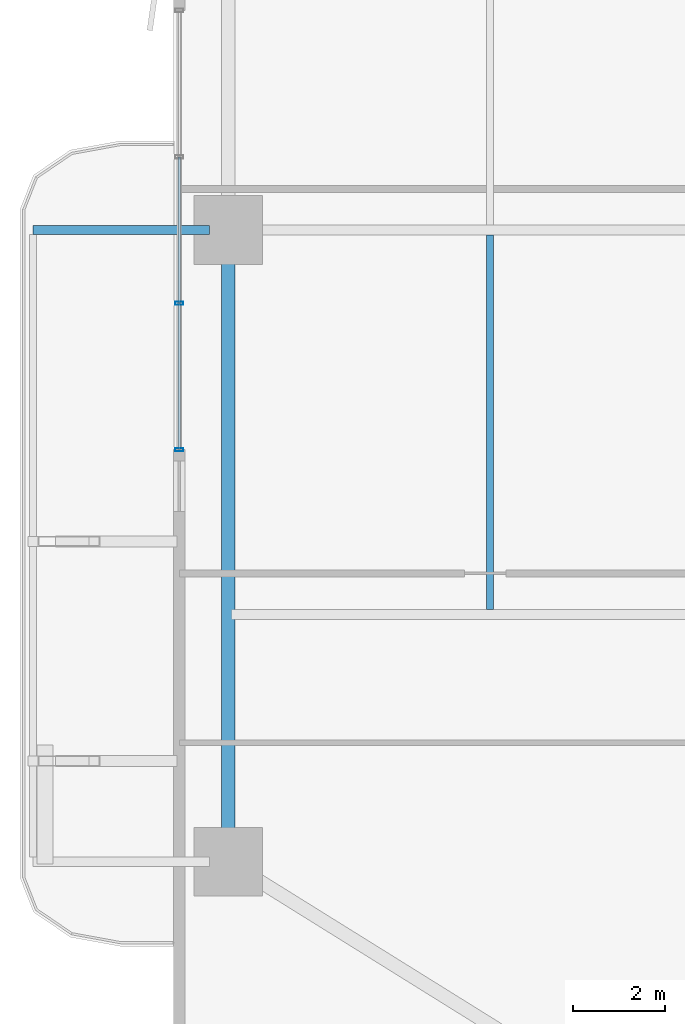
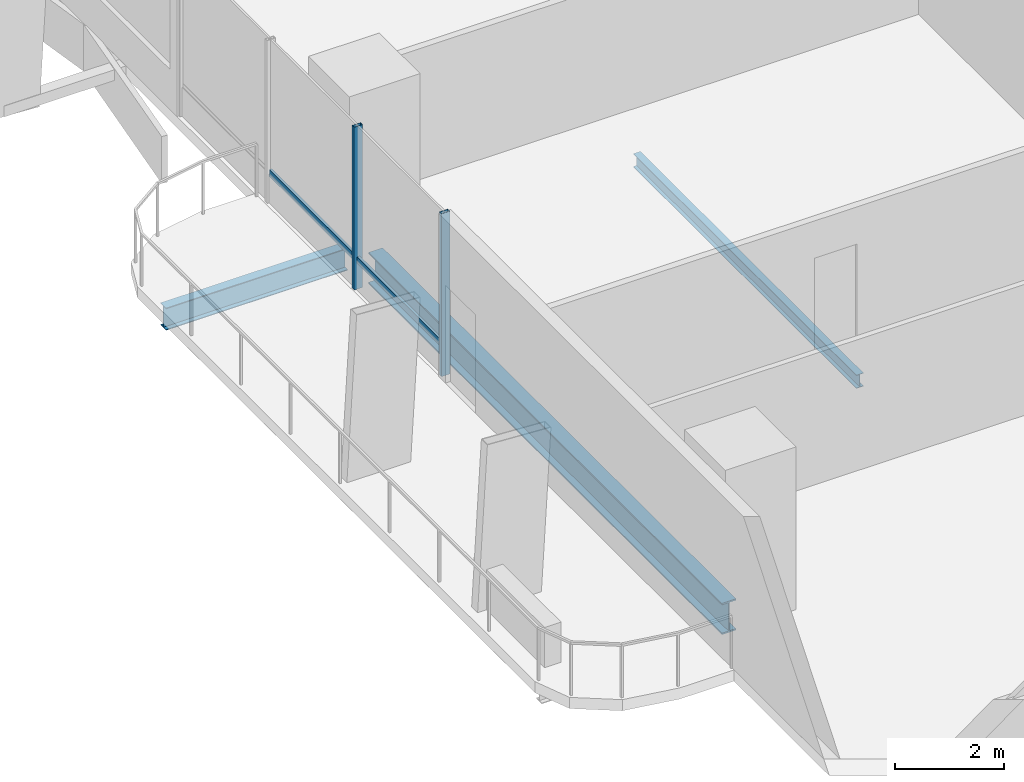
# One storey, part 4 of 24: 4 members, 3 beams, 1 element without a shape of its own.
"""IFC4 building model written with IfcOpenShell, lengths in metres."""

from ifc_helpers import new_model, si_unit, direction, frame, origin, origin_2d, place, context, subcontext, project, spatial, hollow_rectangle, i_section, extrude, material, layer, layer_set, material_profile, profile_set, type_object, element, aggregate, save


model = new_model("IFC4")

# Units and contexts
model_context = context("Model", 3, precision=1e-05, world=origin(), true_north=direction((0.0, 1.0)))
body_context = subcontext(model_context, "Body", "Model", "MODEL_VIEW")
ifc_project = project(units=[si_unit("LENGTHUNIT", "METRE"), si_unit("AREAUNIT", "SQUARE_METRE"), si_unit("VOLUMEUNIT", "CUBIC_METRE"), si_unit("PLANEANGLEUNIT", "RADIAN"), si_unit("MASSUNIT", "GRAM", prefix="KILO")], contexts=[model_context])

# Site, building, storey
site_placement = place(None, origin())
site = spatial("IfcSite", under=ifc_project, at=site_placement, CompositionType="ELEMENT")
building_placement = place(site_placement, origin())
building = spatial("IfcBuilding", under=site, at=building_placement, Name="Belovzor Exchange Tower", CompositionType="ELEMENT")
storey_placement = place(building_placement, frame((0.0, 0.0, 49.5)))
storey = spatial("IfcBuildingStorey", under=building, at=storey_placement, Name="L11", CompositionType="ELEMENT", Elevation=49.5)

# Beams
ifc_material_1 = material(Name="Steel S355", Category="steel")
ifc_material_profile_1 = material_profile(ifc_material_1, i_section(OverallWidth=0.199951171875, OverallDepth=0.5, WebThickness=0.01025390625, FlangeThickness=0.01611328125, at=origin_2d()))
ifc_profile_set_1 = profile_set([ifc_material_profile_1], Name="Steel S355")
beam_type_1 = type_object("IfcBeamType", Name="Planted Balcony Cantilever Beam IPE 500", PredefinedType="BEAM", material=ifc_profile_set_1)
beam_1_placement = place(storey_placement, frame((1.68798828125, 28.800048828125, -0.5), z_axis=(-1.0, 0.0, 0.0), x_axis=(0.0, -1.0, 0.0)))
element("IfcBeam", 1, at=beam_1_placement, inside=storey, type_object=beam_type_1, Name="BC-500 Planted Balcony Cantilever Beam IPE 500", PredefinedType="BEAM", context=body_context, shape_type="SweptSolid", body=[
    extrude(i_section(OverallWidth=0.199951171875, OverallDepth=0.5, WebThickness=0.01025390625, FlangeThickness=0.01611328125, at=origin_2d()), origin(), (0.0, 0.0, 1.0), 3.85009765625),
])
ifc_material_2 = material(Name="Steel S355", Category="steel")
ifc_material_profile_2 = material_profile(ifc_material_2, i_section(OverallWidth=0.14990234375, OverallDepth=0.300048828125, WebThickness=0.007080078125, FlangeThickness=0.0107421875, at=origin_2d()))
ifc_profile_set_2 = profile_set([ifc_material_profile_2], Name="Steel S355")
beam_type_2 = type_object("IfcBeamType", Name="Secondary Trim Floor Joist IPE 300", PredefinedType="BEAM", material=ifc_profile_set_2)
beam_2_placement = place(storey_placement, frame((7.81494140625, 20.5048828125, -0.39990234375), z_axis=(0.0, 1.0, 0.0), x_axis=(-1.0, 0.0, 0.0)))
element("IfcBeam", 2, at=beam_2_placement, inside=storey, type_object=beam_type_2, Name="FJ-300 Secondary Trim Floor Joist IPE 300", PredefinedType="BEAM", context=body_context, shape_type="SweptSolid", body=[
    extrude(i_section(OverallWidth=0.14990234375, OverallDepth=0.300048828125, WebThickness=0.007080078125, FlangeThickness=0.0107421875, at=origin_2d()), origin(), (0.0, 0.0, 1.0), 8.190185546875),
])

# Curtain wall, members
ifc_material_3 = material(Name="Anodised Aluminium Framing", Category="aluminium")
ifc_layer = layer(ifc_material_3, 0.179931640625)
ifc_layer_set = layer_set([ifc_layer], Name="Anodised Aluminium Framing")
curtain_wall_type = type_object("IfcCurtainWallType", Name="Recessed Loggia Low-Iron Triple-Glazed Curtain Wall", PredefinedType="NOTDEFINED", material=ifc_layer_set)
curtain_wall_placement = place(storey_placement, origin())
curtain_wall = element("IfcCurtainWall", 3, at=curtain_wall_placement, inside=storey, type_object=curtain_wall_type, Name="CW3 Recessed Loggia Low-Iron Triple-Glazed Curtain Wall L11", PredefinedType="NOTDEFINED")
ifc_material_4 = material(Name="Steel S355", Category="steel")
ifc_material_profile_3 = material_profile(ifc_material_4, hollow_rectangle(XDim=0.074951171875, YDim=0.179931640625, WallThickness=0.0048828125, at=origin_2d()))
ifc_profile_set_3 = profile_set([ifc_material_profile_3], Name="Steel S355")
member_type_1 = type_object("IfcMemberType", Name="Thermally Broken Curtain Wall Mullion 180x75", PredefinedType="MULLION", material=ifc_profile_set_3)
member_1_placement = place(storey_placement, frame((1.030029296875, 24.0, 0.0), z_axis=(0.0, 0.0, 1.0), x_axis=(0.0, 1.0, 0.0)))
member_1 = element("IfcMember", 4, at=member_1_placement, type_object=member_type_1, Name="CW-M180 Curtain Wall Mullion 1", PredefinedType="MULLION", context=body_context, shape_type="SweptSolid", body=[
    extrude(hollow_rectangle(XDim=0.074951171875, YDim=0.179931640625, WallThickness=0.0048828125, at=origin_2d()), origin(), (0.0, 0.0, 1.0), 3.64990234375),
])
member_2_placement = place(storey_placement, frame((1.030029296875, 27.199951171875, 0.0), z_axis=(0.0, 0.0, 1.0), x_axis=(0.0, 1.0, 0.0)))
member_2 = element("IfcMember", 5, at=member_2_placement, type_object=member_type_1, Name="CW-M180 Curtain Wall Mullion 2", PredefinedType="MULLION", context=body_context, shape_type="SweptSolid", body=[
    extrude(hollow_rectangle(XDim=0.074951171875, YDim=0.179931640625, WallThickness=0.0048828125, at=origin_2d()), origin(), (0.0, 0.0, 1.0), 3.64990234375),
])
ifc_material_5 = material(Name="Steel S355", Category="steel")
ifc_material_profile_4 = material_profile(ifc_material_5, hollow_rectangle(XDim=0.06005859375, YDim=0.14990234375, WallThickness=0.00390625, at=origin_2d()))
ifc_profile_set_4 = profile_set([ifc_material_profile_4], Name="Steel S355")
member_type_2 = type_object("IfcMemberType", Name="Thermally Broken Curtain Wall Transom 150x60", PredefinedType="USERDEFINED", material=ifc_profile_set_4)
member_3_placement = place(storey_placement, frame((1.030029296875, 24.008056640625, 0.64990234375), z_axis=(0.0, 1.0, 0.0), x_axis=(-1.0, 0.0, 0.0)))
member_3 = element("IfcMember", 6, at=member_3_placement, type_object=member_type_2, Name="CW-T150 Curtain Wall Transom 1", ObjectType="TRANSOM", PredefinedType="USERDEFINED", context=body_context, shape_type="SweptSolid", body=[
    extrude(hollow_rectangle(XDim=0.06005859375, YDim=0.14990234375, WallThickness=0.00390625, at=origin_2d()), origin(), (0.0, 0.0, 1.0), 3.183837890625),
])
member_4_placement = place(storey_placement, frame((1.030029296875, 27.2080078125, 0.64990234375), z_axis=(0.0, 1.0, 0.0), x_axis=(-1.0, 0.0, 0.0)))
member_4 = element("IfcMember", 7, at=member_4_placement, type_object=member_type_2, Name="CW-T150 Curtain Wall Transom 2", ObjectType="TRANSOM", PredefinedType="USERDEFINED", context=body_context, shape_type="SweptSolid", body=[
    extrude(hollow_rectangle(XDim=0.06005859375, YDim=0.14990234375, WallThickness=0.00390625, at=origin_2d()), origin(), (0.0, 0.0, 1.0), 3.18408203125),
])
aggregate(curtain_wall, [member_1, member_2, member_3, member_4])

# Beam
ifc_material_6 = material(Name="Steel S355", Category="steel")
ifc_material_profile_5 = material_profile(ifc_material_6, i_section(OverallWidth=0.300048828125, OverallDepth=0.699951171875, WebThickness=0.01708984375, FlangeThickness=0.031982421875, at=origin_2d()))
ifc_profile_set_5 = profile_set([ifc_material_profile_5], Name="Steel S355")
beam_type_3 = type_object("IfcBeamType", Name="Zone 1 Primary Perimeter Girder HEB 700", PredefinedType="BEAM", material=ifc_profile_set_5)
beam_3_placement = place(storey_placement, frame((2.10009765625, 28.386962890625, -0.60009765625), z_axis=(0.0, -1.0, 0.0), x_axis=(1.0, 0.0, 0.0)))
element("IfcBeam", 8, at=beam_3_placement, inside=storey, type_object=beam_type_3, Name="FG-Z1 Zone 1 Primary Perimeter Girder HEB 700", PredefinedType="BEAM", context=body_context, shape_type="SweptSolid", body=[
    extrude(i_section(OverallWidth=0.300048828125, OverallDepth=0.699951171875, WebThickness=0.01708984375, FlangeThickness=0.031982421875, at=origin_2d()), origin(), (0.0, 0.0, 1.0), 12.974853515625),
])

save(model, "model.ifc")
